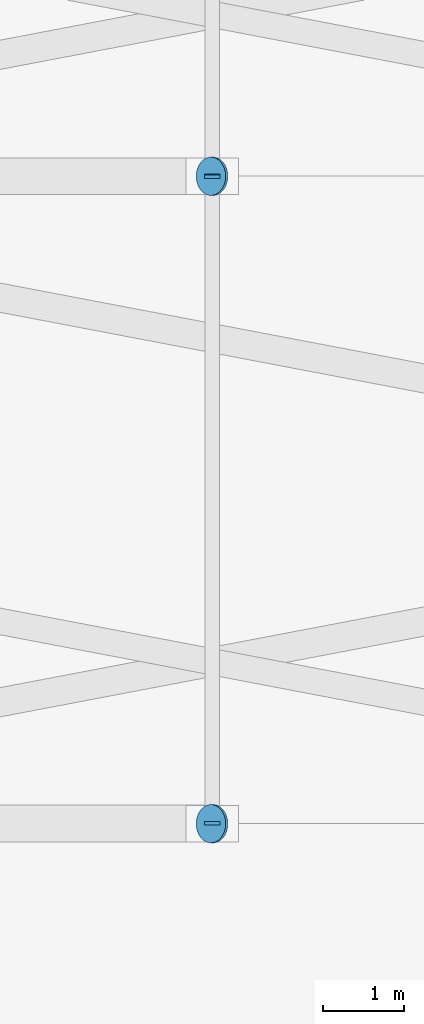
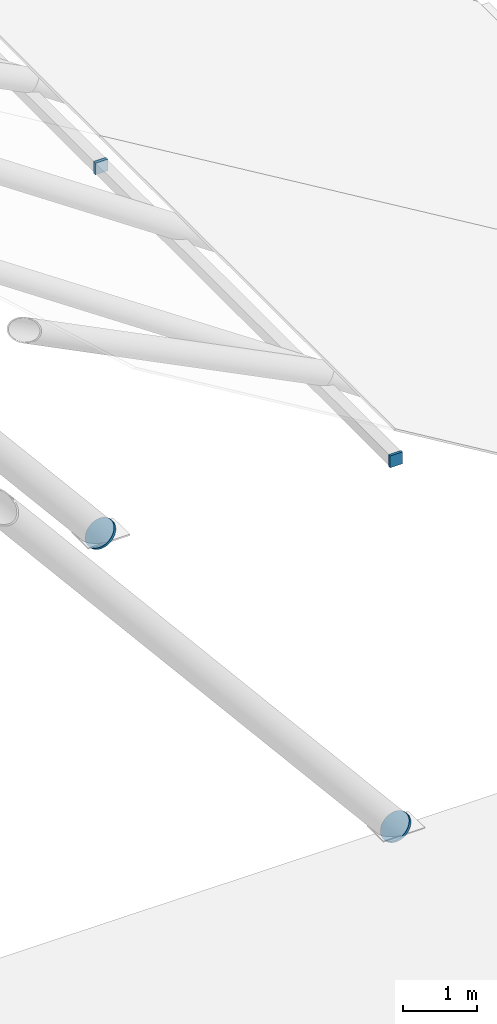
# One storey, part 23 of 44: 5 discrete accessories.
"""IFC4 building model written with IfcOpenShell, lengths in metres."""

from ifc_helpers import new_model, si_unit, direction, frame, origin, origin_2d, place, context, subcontext, project, spatial, rectangle, circle, extrude, material, element, save


model = new_model("IFC4")

# Units and contexts
model_context = context("Model", 3, precision=1e-05, world=origin(), true_north=direction((0.0, 1.0)))
body_context = subcontext(model_context, "Body", "Model", "MODEL_VIEW")
ifc_project = project(units=[si_unit("LENGTHUNIT", "METRE"), si_unit("AREAUNIT", "SQUARE_METRE"), si_unit("VOLUMEUNIT", "CUBIC_METRE"), si_unit("PLANEANGLEUNIT", "RADIAN"), si_unit("MASSUNIT", "GRAM", prefix="KILO")], contexts=[model_context])

# Site, building, storey
site_placement = place(None, origin())
site = spatial("IfcSite", under=ifc_project, at=site_placement, CompositionType="ELEMENT")
building_placement = place(site_placement, origin())
building = spatial("IfcBuilding", under=site, at=building_placement, Name="Marlcrest Central Station", CompositionType="ELEMENT")
storey_placement = place(building_placement, frame((0.0, 0.0, 19.5)))
storey = spatial("IfcBuildingStorey", under=building, at=storey_placement, Name="L04", CompositionType="ELEMENT", Elevation=19.5)

# Discrete accessories
ifc_material = material(Name="Steel S355", Category="steel")
for number, where, z_axis, x_axis, name in (
    (1, (118.509521484375, 22.5, -0.011474609375), (-0.640181471429, 0.0, 0.768223719784), (0.0, -1.0, 0.0), "endcap-mem-ST-01-L04-02365-s"),
    (2, (118.509521484375, 30.5, -0.011474609375), (-0.640181471429, 0.0, 0.768223719784), (0.0, -1.0, 0.0), "endcap-mem-ST-01-L04-02367-s"),
):
    element("IfcDiscreteAccessory", number, at=place(storey_placement, frame(where, z_axis=z_axis, x_axis=x_axis)), inside=storey, material=ifc_material, Name=name, ObjectType="END_CAP_PLATE", PredefinedType="BRACKET", context=body_context, shape_type="SweptSolid", body=[
        extrude(circle(Radius=0.236572265625, at=origin_2d()), origin(), (0.0, 0.0, 1.0), 0.0400390625),
    ])
for number, where, z_axis, x_axis, name in (
    (3, (118.5, 22.485107421875, 6.080078125), (0.0, 1.0, 0.0), (-1.0, 0.0, 0.0), "endcap-mem-PR-03-L04-02394-s"),
    (4, (118.5, 30.47509765625, 6.080078125), (0.0, 1.0, 0.0), (-1.0, 0.0, 0.0), "endcap-mem-PR-03-L04-02394-e"),
    (5, (118.5, 30.485107421875, 6.080078125), (0.0, 1.0, 0.0), (-1.0, 0.0, 0.0), "endcap-mem-PR-03-L04-02409-s"),
):
    element("IfcDiscreteAccessory", number, at=place(storey_placement, frame(where, z_axis=z_axis, x_axis=x_axis)), inside=storey, material=ifc_material, Name=name, ObjectType="END_CAP_PLATE", PredefinedType="BRACKET", context=body_context, shape_type="SweptSolid", body=[
        extrude(rectangle(XDim=0.196044921875, YDim=0.196044921875, at=origin_2d()), origin(), (0.0, 0.0, 1.0), 0.0400390625),
    ])

save(model, "model.ifc")
